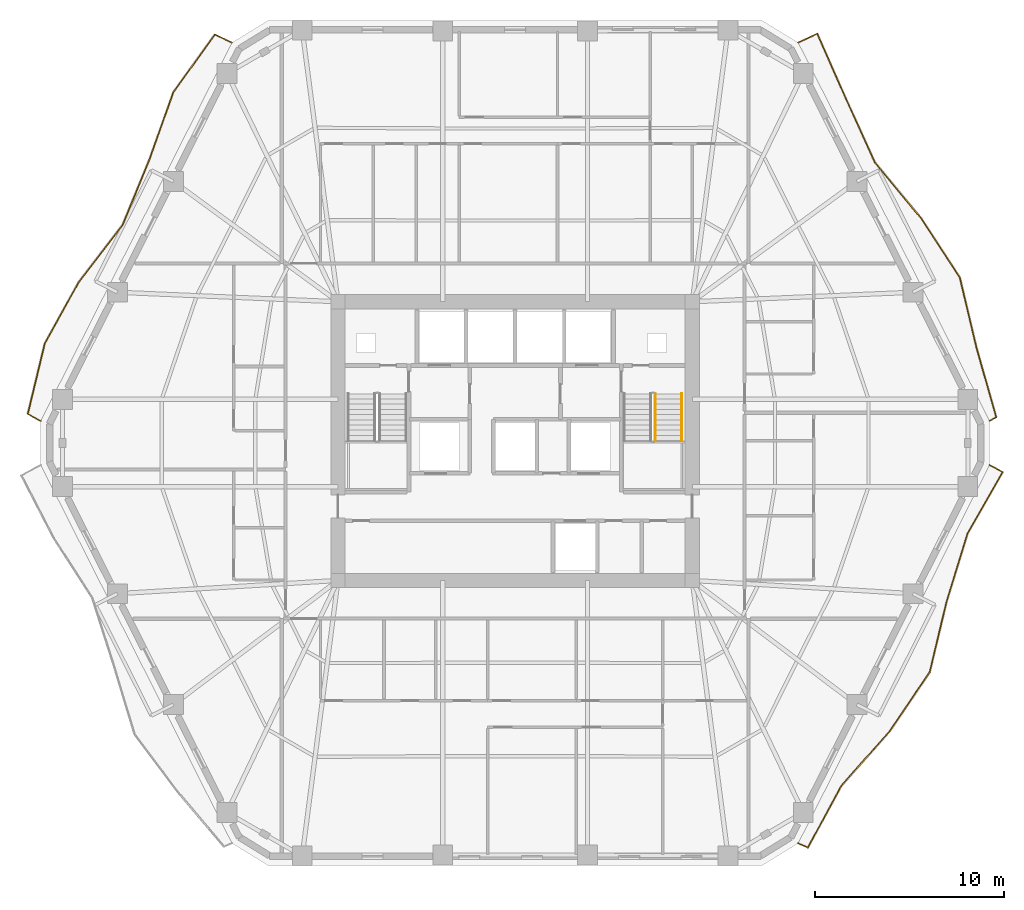
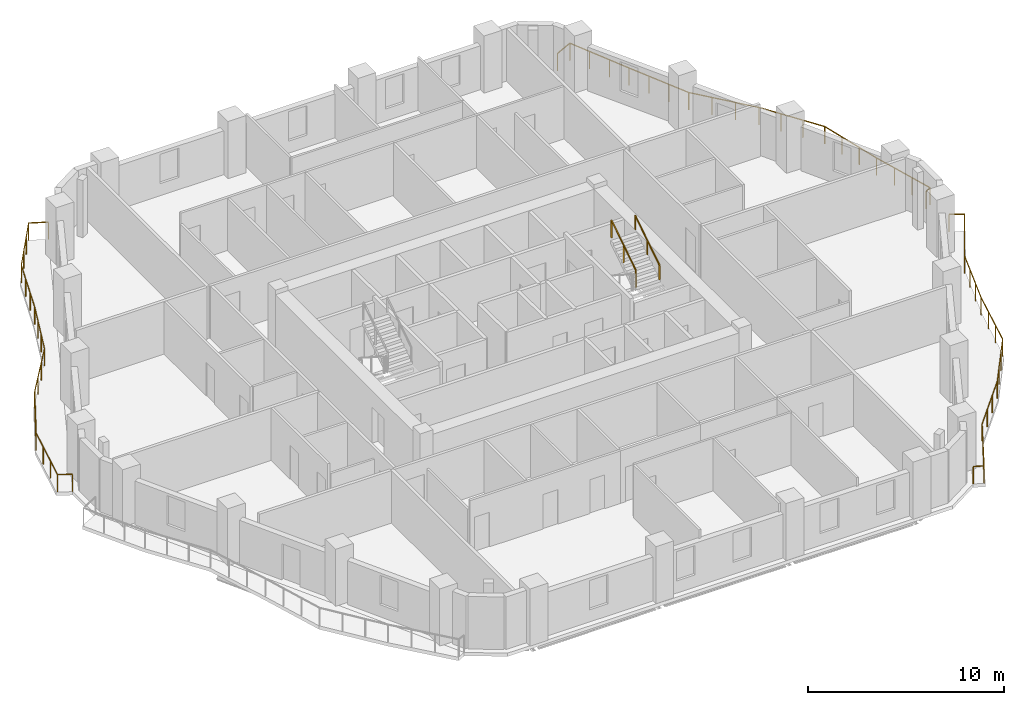
# One storey, part 11 of 11: 5 railings.
"""IFC4 building model written with IfcOpenShell, lengths in metres."""

from ifc_helpers import new_model, si_unit, direction, frame, origin, origin_2d, place, context, subcontext, project, spatial, rectangle, extrude, material, type_object, element, save


model = new_model("IFC4")

# Units and contexts
model_context = context("Model", 3, precision=1e-05, world=origin(), true_north=direction((0.0, 1.0)))
body_context = subcontext(model_context, "Body", "Model", "MODEL_VIEW")
ifc_project = project(units=[si_unit("LENGTHUNIT", "METRE"), si_unit("AREAUNIT", "SQUARE_METRE"), si_unit("VOLUMEUNIT", "CUBIC_METRE"), si_unit("PLANEANGLEUNIT", "RADIAN"), si_unit("MASSUNIT", "GRAM", prefix="KILO")], contexts=[model_context])

# Site, building, storey
site_placement = place(None, origin())
site = spatial("IfcSite", under=ifc_project, at=site_placement, CompositionType="ELEMENT")
building_placement = place(site_placement, origin())
building = spatial("IfcBuilding", under=site, at=building_placement, Name="Cinnabar Lancet Tower", CompositionType="ELEMENT")
storey_placement = place(building_placement, frame((0.0, 0.0, 144.550048828125)))
storey = spatial("IfcBuildingStorey", under=building, at=storey_placement, Name="L38", CompositionType="ELEMENT", Elevation=144.550048828125)

# Railings
ifc_material_1 = material(Name="Laminated safety glass and bronze stainless steel balustrade", Category="steel")
railing_type_1 = type_object("IfcRailingType", Name="ENV-RLG-BAL-1100", PredefinedType="BALUSTRADE", material=ifc_material_1)
railing_1_placement = place(storey_placement, frame((47.37890625, 4.610107421875, 0.0)))
element("IfcRailing", 1, at=railing_1_placement, inside=storey, type_object=railing_type_1, Name="L38 Face 2 Wave Balcony Balustrade", PredefinedType="BALUSTRADE", context=body_context, shape_type="SweptSolid", body=[
    extrude(rectangle(XDim=0.048095703125, YDim=0.048095703125, at=origin_2d()), frame((0.0, 0.0, 1.076171875), z_axis=(0.916336651747, -0.400408717019, 0.0), x_axis=(0.400408717019, 0.916336651747, 0.0)), (0.0, 0.0, 1.0), 0.562255859375),
    extrude(rectangle(XDim=0.048095703125, YDim=0.048095703125, at=origin_2d()), frame((0.51513671875, -0.22509765625, 1.076171875), z_axis=(0.476133610444, 0.879372949894, 0.0), x_axis=(-0.879372949894, 0.476133610444, 0.0)), (0.0, 0.0, 1.0), 3.734375),
    extrude(rectangle(XDim=0.048095703125, YDim=0.048095703125, at=origin_2d()), frame((2.293212890625, 3.058837890625, 1.076171875), z_axis=(0.663156849112, 0.748480456309, 0.0), x_axis=(-0.748480456309, 0.663156849112, 0.0)), (0.0, 0.0, 1.0), 3.857177734375),
    extrude(rectangle(XDim=0.048095703125, YDim=0.048095703125, at=origin_2d()), frame((4.85107421875, 5.94580078125, 1.076171875), z_axis=(0.561137958086, 0.82772229159, 0.0), x_axis=(-0.82772229159, 0.561137958086, 0.0)), (0.0, 0.0, 1.0), 3.76220703125),
    extrude(rectangle(XDim=0.048095703125, YDim=0.048095703125, at=origin_2d()), frame((6.962158203125, 9.059814453125, 1.076171875), z_axis=(0.232363697108, 0.972628969477, 0.0), x_axis=(-0.972628969477, 0.232363697108, 0.0)), (0.0, 0.0, 1.0), 3.833984375),
    extrude(rectangle(XDim=0.048095703125, YDim=0.048095703125, at=origin_2d()), frame((7.85302734375, 12.788818359375, 1.076171875), z_axis=(0.294262578091, 0.955724612603, 0.0), x_axis=(-0.955724612603, 0.294262578091, 0.0)), (0.0, 0.0, 1.0), 3.785888671875),
    extrude(rectangle(XDim=0.048095703125, YDim=0.048095703125, at=origin_2d()), frame((8.967041015625, 16.406982421875, 1.076171875), z_axis=(0.497271339607, 0.86759507537, 0.0), x_axis=(-0.86759507537, 0.497271339607, 0.0)), (0.0, 0.0, 1.0), 3.73681640625),
    extrude(rectangle(XDim=0.048095703125, YDim=0.048095703125, at=origin_2d()), frame((10.8251953125, 19.64892578125, 1.076171875), z_axis=(-0.875830250403, 0.482619283161, 0.0), x_axis=(-0.482619283161, -0.875830250403, 0.0)), (0.0, 0.0, 1.0), 0.7890625),
    extrude(rectangle(XDim=0.0419921875, YDim=0.0419921875, at=origin_2d()), origin(), (0.0, 0.0, 1.0), 1.052001953125),
    extrude(rectangle(XDim=0.0419921875, YDim=0.0419921875, at=origin_2d()), frame((0.51513671875, -0.22509765625, 0.0)), (0.0, 0.0, 1.0), 1.052001953125),
    extrude(rectangle(XDim=0.0419921875, YDim=0.0419921875, at=origin_2d()), frame((1.10791015625, 0.86962890625, 0.0)), (0.0, 0.0, 1.0), 1.052001953125),
    extrude(rectangle(XDim=0.0419921875, YDim=0.0419921875, at=origin_2d()), frame((1.700439453125, 1.964111328125, 0.0)), (0.0, 0.0, 1.0), 1.052001953125),
    extrude(rectangle(XDim=0.0419921875, YDim=0.0419921875, at=origin_2d()), frame((2.293212890625, 3.058837890625, 0.0)), (0.0, 0.0, 1.0), 1.052001953125),
    extrude(rectangle(XDim=0.0419921875, YDim=0.0419921875, at=origin_2d()), frame((3.145751953125, 4.021240234375, 0.0)), (0.0, 0.0, 1.0), 1.052001953125),
    extrude(rectangle(XDim=0.0419921875, YDim=0.0419921875, at=origin_2d()), frame((3.99853515625, 4.9833984375, 0.0)), (0.0, 0.0, 1.0), 1.052001953125),
    extrude(rectangle(XDim=0.0419921875, YDim=0.0419921875, at=origin_2d()), frame((4.85107421875, 5.94580078125, 0.0)), (0.0, 0.0, 1.0), 1.052001953125),
    extrude(rectangle(XDim=0.0419921875, YDim=0.0419921875, at=origin_2d()), frame((5.5546875, 6.98388671875, 0.0)), (0.0, 0.0, 1.0), 1.052001953125),
    extrude(rectangle(XDim=0.0419921875, YDim=0.0419921875, at=origin_2d()), frame((6.258544921875, 8.021728515625, 0.0)), (0.0, 0.0, 1.0), 1.052001953125),
    extrude(rectangle(XDim=0.0419921875, YDim=0.0419921875, at=origin_2d()), frame((6.962158203125, 9.059814453125, 0.0)), (0.0, 0.0, 1.0), 1.052001953125),
    extrude(rectangle(XDim=0.0419921875, YDim=0.0419921875, at=origin_2d()), frame((7.259033203125, 10.302734375, 0.0)), (0.0, 0.0, 1.0), 1.052001953125),
    extrude(rectangle(XDim=0.0419921875, YDim=0.0419921875, at=origin_2d()), frame((7.55615234375, 11.5458984375, 0.0)), (0.0, 0.0, 1.0), 1.052001953125),
    extrude(rectangle(XDim=0.0419921875, YDim=0.0419921875, at=origin_2d()), frame((7.85302734375, 12.788818359375, 0.0)), (0.0, 0.0, 1.0), 1.052001953125),
    extrude(rectangle(XDim=0.0419921875, YDim=0.0419921875, at=origin_2d()), frame((8.224365234375, 13.994873046875, 0.0)), (0.0, 0.0, 1.0), 1.052001953125),
    extrude(rectangle(XDim=0.0419921875, YDim=0.0419921875, at=origin_2d()), frame((8.595703125, 15.200927734375, 0.0)), (0.0, 0.0, 1.0), 1.052001953125),
    extrude(rectangle(XDim=0.0419921875, YDim=0.0419921875, at=origin_2d()), frame((8.967041015625, 16.406982421875, 0.0)), (0.0, 0.0, 1.0), 1.052001953125),
    extrude(rectangle(XDim=0.0419921875, YDim=0.0419921875, at=origin_2d()), frame((9.58642578125, 17.487548828125, 0.0)), (0.0, 0.0, 1.0), 1.052001953125),
    extrude(rectangle(XDim=0.0419921875, YDim=0.0419921875, at=origin_2d()), frame((10.205810546875, 18.568359375, 0.0)), (0.0, 0.0, 1.0), 1.052001953125),
    extrude(rectangle(XDim=0.0419921875, YDim=0.0419921875, at=origin_2d()), frame((10.8251953125, 19.64892578125, 0.0)), (0.0, 0.0, 1.0), 1.052001953125),
    extrude(rectangle(XDim=0.0419921875, YDim=0.0419921875, at=origin_2d()), frame((10.134033203125, 20.02978515625, 0.0)), (0.0, 0.0, 1.0), 1.052001953125),
])
railing_2_placement = place(storey_placement, frame((57.512939453125, 26.9599609375, 0.0)))
element("IfcRailing", 2, at=railing_2_placement, inside=storey, type_object=railing_type_1, Name="L38 Face 3 Wave Balcony Balustrade", PredefinedType="BALUSTRADE", context=body_context, shape_type="SweptSolid", body=[
    extrude(rectangle(XDim=0.048095703125, YDim=0.048095703125, at=origin_2d()), frame((0.0, 0.0, 1.076171875), z_axis=(0.859079062454, 0.511842909938, 0.0), x_axis=(-0.511842909938, 0.859079062454, 0.0)), (0.0, 0.0, 1.0), 0.406494140625),
    extrude(rectangle(XDim=0.048095703125, YDim=0.048095703125, at=origin_2d()), frame((0.34912109375, 0.2080078125, 1.076171875), z_axis=(-0.273923475746, 0.961751490477, 0.0), x_axis=(-0.961751490477, -0.273923475746, 0.0)), (0.0, 0.0, 1.0), 3.80029296875),
    extrude(rectangle(XDim=0.048095703125, YDim=0.048095703125, at=origin_2d()), frame((-0.69189453125, 3.863037109375, 1.076171875), z_axis=(-0.231170308522, 0.972913299559, 0.0), x_axis=(-0.972913299559, -0.231170308522, 0.0)), (0.0, 0.0, 1.0), 3.8369140625),
    extrude(rectangle(XDim=0.048095703125, YDim=0.048095703125, at=origin_2d()), frame((-1.578857421875, 7.595947265625, 1.076171875), z_axis=(-0.547322970811, 0.836921481157, 0.0), x_axis=(-0.836921481157, -0.547322970811, 0.0)), (0.0, 0.0, 1.0), 3.753173828125),
    extrude(rectangle(XDim=0.048095703125, YDim=0.048095703125, at=origin_2d()), frame((-3.633056640625, 10.737060546875, 1.076171875), z_axis=(-0.637575550924, 0.770387835356, 0.0), x_axis=(-0.770387835356, -0.637575550924, 0.0)), (0.0, 0.0, 1.0), 3.825439453125),
    extrude(rectangle(XDim=0.048095703125, YDim=0.048095703125, at=origin_2d()), frame((-6.072021484375, 13.68408203125, 1.076171875), z_axis=(-0.413477797604, 0.910514201366, 0.0), x_axis=(-0.910514201366, -0.413477797604, 0.0)), (0.0, 0.0, 1.0), 3.734130859375),
    extrude(rectangle(XDim=0.048095703125, YDim=0.048095703125, at=origin_2d()), frame((-7.615966796875, 17.083984375, 1.076171875), z_axis=(-0.403477881881, 0.914989398208, 0.0), x_axis=(-0.914989398208, -0.403477881881, 0.0)), (0.0, 0.0, 1.0), 3.739990234375),
    extrude(rectangle(XDim=0.048095703125, YDim=0.048095703125, at=origin_2d()), frame((-9.125, 20.506103515625, 1.076171875), z_axis=(-0.904391762183, -0.426703105796, 0.0), x_axis=(0.426703105796, -0.904391762183, 0.0)), (0.0, 0.0, 1.0), 1.11572265625),
    extrude(rectangle(XDim=0.0419921875, YDim=0.0419921875, at=origin_2d()), origin(), (0.0, 0.0, 1.0), 1.052001953125),
    extrude(rectangle(XDim=0.0419921875, YDim=0.0419921875, at=origin_2d()), frame((0.34912109375, 0.2080078125, 0.0)), (0.0, 0.0, 1.0), 1.052001953125),
    extrude(rectangle(XDim=0.0419921875, YDim=0.0419921875, at=origin_2d()), frame((0.002197265625, 1.42626953125, 0.0)), (0.0, 0.0, 1.0), 1.052001953125),
    extrude(rectangle(XDim=0.0419921875, YDim=0.0419921875, at=origin_2d()), frame((-0.344970703125, 2.644775390625, 0.0)), (0.0, 0.0, 1.0), 1.052001953125),
    extrude(rectangle(XDim=0.0419921875, YDim=0.0419921875, at=origin_2d()), frame((-0.69189453125, 3.863037109375, 0.0)), (0.0, 0.0, 1.0), 1.052001953125),
    extrude(rectangle(XDim=0.0419921875, YDim=0.0419921875, at=origin_2d()), frame((-0.987548828125, 5.107421875, 0.0)), (0.0, 0.0, 1.0), 1.052001953125),
    extrude(rectangle(XDim=0.0419921875, YDim=0.0419921875, at=origin_2d()), frame((-1.283203125, 6.3515625, 0.0)), (0.0, 0.0, 1.0), 1.052001953125),
    extrude(rectangle(XDim=0.0419921875, YDim=0.0419921875, at=origin_2d()), frame((-1.578857421875, 7.595947265625, 0.0)), (0.0, 0.0, 1.0), 1.052001953125),
    extrude(rectangle(XDim=0.0419921875, YDim=0.0419921875, at=origin_2d()), frame((-2.263671875, 8.64306640625, 0.0)), (0.0, 0.0, 1.0), 1.052001953125),
    extrude(rectangle(XDim=0.0419921875, YDim=0.0419921875, at=origin_2d()), frame((-2.9482421875, 9.68994140625, 0.0)), (0.0, 0.0, 1.0), 1.052001953125),
    extrude(rectangle(XDim=0.0419921875, YDim=0.0419921875, at=origin_2d()), frame((-3.633056640625, 10.737060546875, 0.0)), (0.0, 0.0, 1.0), 1.052001953125),
    extrude(rectangle(XDim=0.0419921875, YDim=0.0419921875, at=origin_2d()), frame((-4.446044921875, 11.719482421875, 0.0)), (0.0, 0.0, 1.0), 1.052001953125),
    extrude(rectangle(XDim=0.0419921875, YDim=0.0419921875, at=origin_2d()), frame((-5.259033203125, 12.70166015625, 0.0)), (0.0, 0.0, 1.0), 1.052001953125),
    extrude(rectangle(XDim=0.0419921875, YDim=0.0419921875, at=origin_2d()), frame((-6.072021484375, 13.68408203125, 0.0)), (0.0, 0.0, 1.0), 1.052001953125),
    extrude(rectangle(XDim=0.0419921875, YDim=0.0419921875, at=origin_2d()), frame((-6.586669921875, 14.8173828125, 0.0)), (0.0, 0.0, 1.0), 1.052001953125),
    extrude(rectangle(XDim=0.0419921875, YDim=0.0419921875, at=origin_2d()), frame((-7.101318359375, 15.95068359375, 0.0)), (0.0, 0.0, 1.0), 1.052001953125),
    extrude(rectangle(XDim=0.0419921875, YDim=0.0419921875, at=origin_2d()), frame((-7.615966796875, 17.083984375, 0.0)), (0.0, 0.0, 1.0), 1.052001953125),
    extrude(rectangle(XDim=0.0419921875, YDim=0.0419921875, at=origin_2d()), frame((-8.118896484375, 18.224609375, 0.0)), (0.0, 0.0, 1.0), 1.052001953125),
    extrude(rectangle(XDim=0.0419921875, YDim=0.0419921875, at=origin_2d()), frame((-8.6220703125, 19.365478515625, 0.0)), (0.0, 0.0, 1.0), 1.052001953125),
    extrude(rectangle(XDim=0.0419921875, YDim=0.0419921875, at=origin_2d()), frame((-9.125, 20.506103515625, 0.0)), (0.0, 0.0, 1.0), 1.052001953125),
    extrude(rectangle(XDim=0.0419921875, YDim=0.0419921875, at=origin_2d()), frame((-10.134033203125, 20.030029296875, 0.0)), (0.0, 0.0, 1.0), 1.052001953125),
])
railing_3_placement = place(storey_placement, frame((17.4208984375, 46.989990234375, 0.0)))
element("IfcRailing", 3, at=railing_3_placement, inside=storey, type_object=railing_type_1, Name="L38 Face 5 Wave Balcony Balustrade", PredefinedType="BALUSTRADE", context=body_context, shape_type="SweptSolid", body=[
    extrude(rectangle(XDim=0.048095703125, YDim=0.048095703125, at=origin_2d()), frame((0.0, 0.0, 1.076171875), z_axis=(-0.905799045948, 0.423707550511, 0.0), x_axis=(-0.423707550511, -0.905799045948, 0.0)), (0.0, 0.0, 1.0), 1.0078125),
    extrude(rectangle(XDim=0.048095703125, YDim=0.048095703125, at=origin_2d()), frame((-0.912841796875, 0.427001953125, 1.076171875), z_axis=(-0.58314992542, -0.812364551469, 0.0), x_axis=(0.812364551469, -0.58314992542, 0.0)), (0.0, 0.0, 1.0), 3.778076171875),
    extrude(rectangle(XDim=0.048095703125, YDim=0.048095703125, at=origin_2d()), frame((-3.115966796875, -2.64208984375, 1.076171875), z_axis=(-0.33468316186, -0.942330717512, 0.0), x_axis=(0.942330717512, -0.33468316186, 0.0)), (0.0, 0.0, 1.0), 3.761962890625),
    extrude(rectangle(XDim=0.048095703125, YDim=0.048095703125, at=origin_2d()), frame((-4.375, -6.18701171875, 1.076171875), z_axis=(-0.379699535635, -0.925109865172, 0.0), x_axis=(0.925109865172, -0.379699535635, 0.0)), (0.0, 0.0, 1.0), 3.7421875),
    extrude(rectangle(XDim=0.048095703125, YDim=0.048095703125, at=origin_2d()), frame((-5.7958984375, -9.64892578125, 1.076171875), z_axis=(-0.608864912382, -0.793273923982, 0.0), x_axis=(0.793273923982, -0.608864912382, 0.0)), (0.0, 0.0, 1.0), 3.795654296875),
    extrude(rectangle(XDim=0.048095703125, YDim=0.048095703125, at=origin_2d()), frame((-8.10693359375, -12.659912109375, 1.076171875), z_axis=(-0.483860072613, -0.87514537657, 0.0), x_axis=(0.87514537657, -0.483860072613, 0.0)), (0.0, 0.0, 1.0), 3.734375),
    extrude(rectangle(XDim=0.048095703125, YDim=0.048095703125, at=origin_2d()), frame((-9.913818359375, -15.927978515625, 1.076171875), z_axis=(-0.234526411761, -0.972109748015, 0.0), x_axis=(0.972109748015, -0.234526411761, 0.0)), (0.0, 0.0, 1.0), 3.833984375),
    extrude(rectangle(XDim=0.048095703125, YDim=0.048095703125, at=origin_2d()), frame((-10.81298828125, -19.655029296875, 1.076171875), z_axis=(0.875430775278, -0.483343519348, 0.0), x_axis=(0.483343519348, 0.875430775278, 0.0)), (0.0, 0.0, 1.0), 0.77587890625),
    extrude(rectangle(XDim=0.0419921875, YDim=0.0419921875, at=origin_2d()), origin(), (0.0, 0.0, 1.0), 1.052001953125),
    extrude(rectangle(XDim=0.0419921875, YDim=0.0419921875, at=origin_2d()), frame((-0.912841796875, 0.427001953125, 0.0)), (0.0, 0.0, 1.0), 1.052001953125),
    extrude(rectangle(XDim=0.0419921875, YDim=0.0419921875, at=origin_2d()), frame((-1.647216796875, -0.595947265625, 0.0)), (0.0, 0.0, 1.0), 1.052001953125),
    extrude(rectangle(XDim=0.0419921875, YDim=0.0419921875, at=origin_2d()), frame((-2.381591796875, -1.619140625, 0.0)), (0.0, 0.0, 1.0), 1.052001953125),
    extrude(rectangle(XDim=0.0419921875, YDim=0.0419921875, at=origin_2d()), frame((-3.115966796875, -2.64208984375, 0.0)), (0.0, 0.0, 1.0), 1.052001953125),
    extrude(rectangle(XDim=0.0419921875, YDim=0.0419921875, at=origin_2d()), frame((-3.53564453125, -3.82373046875, 0.0)), (0.0, 0.0, 1.0), 1.052001953125),
    extrude(rectangle(XDim=0.0419921875, YDim=0.0419921875, at=origin_2d()), frame((-3.955322265625, -5.00537109375, 0.0)), (0.0, 0.0, 1.0), 1.052001953125),
    extrude(rectangle(XDim=0.0419921875, YDim=0.0419921875, at=origin_2d()), frame((-4.375, -6.18701171875, 0.0)), (0.0, 0.0, 1.0), 1.052001953125),
    extrude(rectangle(XDim=0.0419921875, YDim=0.0419921875, at=origin_2d()), frame((-4.8486328125, -7.341064453125, 0.0)), (0.0, 0.0, 1.0), 1.052001953125),
    extrude(rectangle(XDim=0.0419921875, YDim=0.0419921875, at=origin_2d()), frame((-5.322265625, -8.494873046875, 0.0)), (0.0, 0.0, 1.0), 1.052001953125),
    extrude(rectangle(XDim=0.0419921875, YDim=0.0419921875, at=origin_2d()), frame((-5.7958984375, -9.64892578125, 0.0)), (0.0, 0.0, 1.0), 1.052001953125),
    extrude(rectangle(XDim=0.0419921875, YDim=0.0419921875, at=origin_2d()), frame((-6.566162109375, -10.652587890625, 0.0)), (0.0, 0.0, 1.0), 1.052001953125),
    extrude(rectangle(XDim=0.0419921875, YDim=0.0419921875, at=origin_2d()), frame((-7.336669921875, -11.65625, 0.0)), (0.0, 0.0, 1.0), 1.052001953125),
    extrude(rectangle(XDim=0.0419921875, YDim=0.0419921875, at=origin_2d()), frame((-8.10693359375, -12.659912109375, 0.0)), (0.0, 0.0, 1.0), 1.052001953125),
    extrude(rectangle(XDim=0.0419921875, YDim=0.0419921875, at=origin_2d()), frame((-8.709228515625, -13.749267578125, 0.0)), (0.0, 0.0, 1.0), 1.052001953125),
    extrude(rectangle(XDim=0.0419921875, YDim=0.0419921875, at=origin_2d()), frame((-9.3115234375, -14.838623046875, 0.0)), (0.0, 0.0, 1.0), 1.052001953125),
    extrude(rectangle(XDim=0.0419921875, YDim=0.0419921875, at=origin_2d()), frame((-9.913818359375, -15.927978515625, 0.0)), (0.0, 0.0, 1.0), 1.052001953125),
    extrude(rectangle(XDim=0.0419921875, YDim=0.0419921875, at=origin_2d()), frame((-10.213623046875, -17.17041015625, 0.0)), (0.0, 0.0, 1.0), 1.052001953125),
    extrude(rectangle(XDim=0.0419921875, YDim=0.0419921875, at=origin_2d()), frame((-10.51318359375, -18.41259765625, 0.0)), (0.0, 0.0, 1.0), 1.052001953125),
    extrude(rectangle(XDim=0.0419921875, YDim=0.0419921875, at=origin_2d()), frame((-10.81298828125, -19.655029296875, 0.0)), (0.0, 0.0, 1.0), 1.052001953125),
    extrude(rectangle(XDim=0.0419921875, YDim=0.0419921875, at=origin_2d()), frame((-10.1337890625, -20.030029296875, 0.0)), (0.0, 0.0, 1.0), 1.052001953125),
])
ifc_material_2 = material(Name="Painted galvanized steel balustrade", Category="steel")
railing_type_2 = type_object("IfcRailingType", Name="GUARD-STAIR", PredefinedType="GUARDRAIL", material=ifc_material_2)
railing_4_placement = place(storey_placement, frame((39.824951171875, 25.925048828125, 1.952392578125)))
element("IfcRailing", 4, at=railing_4_placement, inside=storey, type_object=railing_type_2, Name="L38 ST-2 stair guard 3", PredefinedType="GUARDRAIL", context=body_context, shape_type="SweptSolid", body=[
    extrude(rectangle(XDim=0.048095703125, YDim=0.048095703125, at=origin_2d()), frame((0.0, 0.0, 1.076171875), z_axis=(0.0, 0.84014559416, 0.542360932049), x_axis=(-1.0, 0.0, 0.0)), (0.0, 0.0, 1.0), 2.94580078125),
    extrude(rectangle(XDim=0.0419921875, YDim=0.0419921875, at=origin_2d()), origin(), (0.0, 0.0, 1.0), 1.052001953125),
    extrude(rectangle(XDim=0.0419921875, YDim=0.0419921875, at=origin_2d()), frame((0.0, 1.2373046875, 0.798828125)), (0.0, 0.0, 1.0), 1.052001953125),
    extrude(rectangle(XDim=0.0419921875, YDim=0.0419921875, at=origin_2d()), frame((0.0, 2.474853515625, 1.59765625)), (0.0, 0.0, 1.0), 1.052001953125),
])
ifc_material_3 = material(Name="Brushed stainless steel handrail", Category="steel")
railing_type_3 = type_object("IfcRailingType", Name="HANDRAIL-STAIR", PredefinedType="HANDRAIL", material=ifc_material_3)
railing_5_placement = place(storey_placement, frame((41.22509765625, 25.925048828125, 1.952392578125)))
element("IfcRailing", 5, at=railing_5_placement, inside=storey, type_object=railing_type_3, Name="L38 ST-2 stair handrail 2", PredefinedType="HANDRAIL", context=body_context, shape_type="SweptSolid", body=[
    extrude(rectangle(XDim=0.048095703125, YDim=0.048095703125, at=origin_2d()), frame((0.0, 0.0, 0.8759765625), z_axis=(0.0, 0.84014559416, 0.542360932049), x_axis=(-1.0, 0.0, 0.0)), (0.0, 0.0, 1.0), 2.94580078125),
    extrude(rectangle(XDim=0.0419921875, YDim=0.0419921875, at=origin_2d()), origin(), (0.0, 0.0, 1.0), 0.851806640625),
    extrude(rectangle(XDim=0.0419921875, YDim=0.0419921875, at=origin_2d()), frame((0.0, 1.2373046875, 0.798828125)), (0.0, 0.0, 1.0), 0.851806640625),
    extrude(rectangle(XDim=0.0419921875, YDim=0.0419921875, at=origin_2d()), frame((0.0, 2.474853515625, 1.59765625)), (0.0, 0.0, 1.0), 0.851806640625),
])

save(model, "model.ifc")
